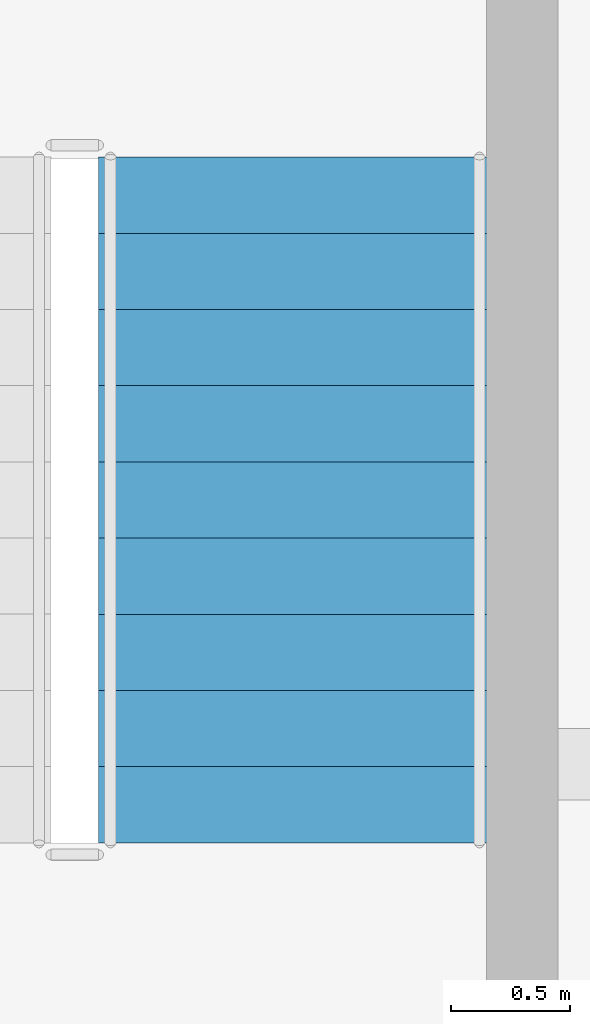
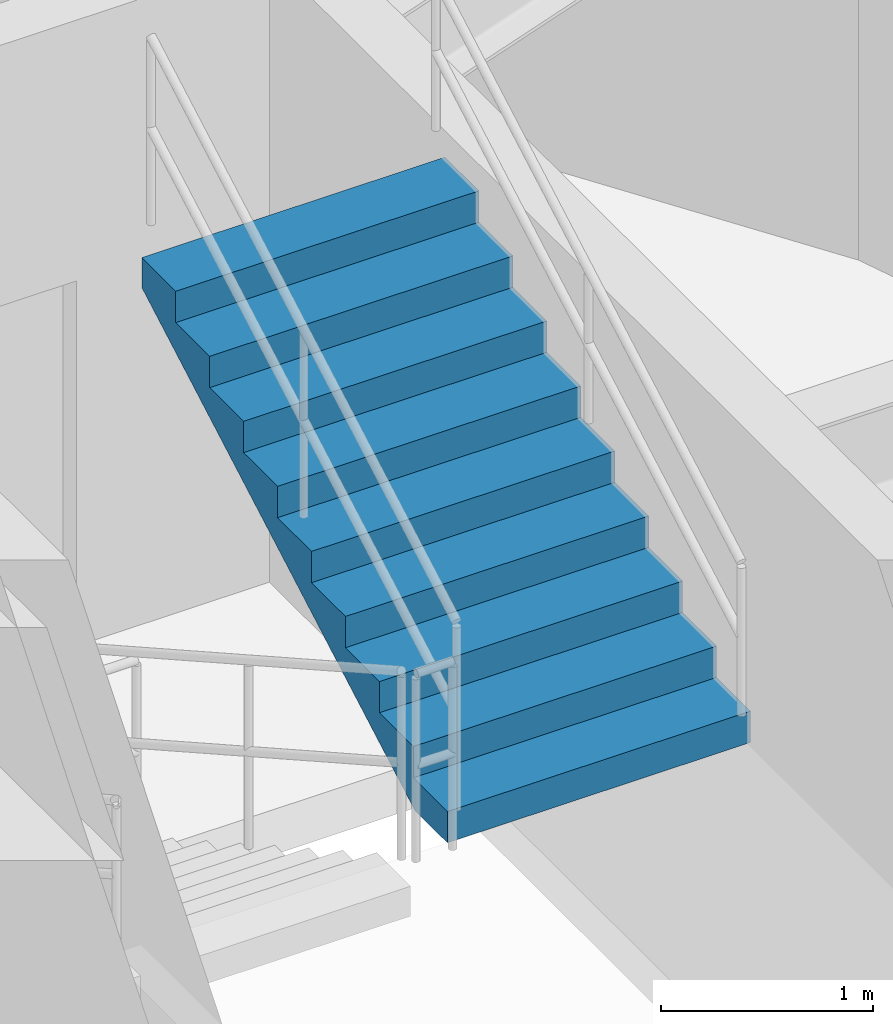
# One storey, part 12 of 13: 1 stair flight, 1 element without a shape of its own.
"""IFC4 building model written with IfcOpenShell, lengths in metres."""

from ifc_helpers import new_model, si_unit, direction, frame, origin, place, context, subcontext, project, spatial, polyline, outline, extrude, material, type_object, element, aggregate, save


model = new_model("IFC4")

# Units and contexts
model_context = context("Model", 3, precision=1e-05, world=origin(), true_north=direction((0.0, 1.0)))
body_context = subcontext(model_context, "Body", "Model", "MODEL_VIEW")
ifc_project = project(units=[si_unit("LENGTHUNIT", "METRE"), si_unit("AREAUNIT", "SQUARE_METRE"), si_unit("VOLUMEUNIT", "CUBIC_METRE"), si_unit("PLANEANGLEUNIT", "RADIAN"), si_unit("MASSUNIT", "GRAM", prefix="KILO")], contexts=[model_context])

# Site, building, storey
site_placement = place(None, origin())
site = spatial("IfcSite", under=ifc_project, at=site_placement, CompositionType="ELEMENT")
building_placement = place(site_placement, origin())
building = spatial("IfcBuilding", under=site, at=building_placement, Name="Veldorina Hangang Commons", CompositionType="ELEMENT")
storey_placement = place(building_placement, frame((0.0, 0.0, 37.60009765625)))
storey = spatial("IfcBuildingStorey", under=building, at=storey_placement, Name="L08", CompositionType="ELEMENT", Elevation=37.60009765625)

# Stair, stair flight
ifc_material = material(Name="Concrete C40/50", Category="concrete")
stair_type = type_object("IfcStairType", Name="STR-DOG-1650-20R", PredefinedType="HALF_TURN_STAIR", material=ifc_material)
stair_placement = place(storey_placement, origin())
stair = element("IfcStair", 1, at=stair_placement, inside=storey, type_object=stair_type, Name="L08 Exit stair ST-2", PredefinedType="HALF_TURN_STAIR")
stair_flight_type = type_object("IfcStairFlightType", Name="SFL-STR-1650-20R", PredefinedType="STRAIGHT", material=ifc_material)
stair_flight_placement = place(storey_placement, frame((42.22509765625, 23.669921875, 1.7998046875), z_axis=(0.0, 0.0, 1.0), x_axis=(0.0, 1.0, 0.0)))
stair_flight = element("IfcStairFlight", 2, at=stair_flight_placement, type_object=stair_flight_type, Name="ST-2 flight 2", NumberOfRisers=10, NumberOfTreads=9, PredefinedType="STRAIGHT", RiserHeight=0.18, TreadLength=0.32, context=body_context, shape_type="SweptSolid", body=[
    extrude(outline(polyline([(0.0, 0.0), (0.0, 0.179931640625), (0.320068359375, 0.179931640625), (0.320068359375, 0.360107421875), (0.639892578125, 0.360107421875), (0.639892578125, 0.5400390625), (0.9599609375, 0.5400390625), (0.9599609375, 0.719970703125), (1.280029296875, 0.719970703125), (1.280029296875, 0.89990234375), (1.60009765625, 0.89990234375), (1.60009765625, 1.080078125), (1.919921875, 1.080078125), (1.919921875, 1.260009765625), (2.239990234375, 1.260009765625), (2.239990234375, 1.43994140625), (2.56005859375, 1.43994140625), (2.56005859375, 1.6201171875), (2.8798828125, 1.6201171875), (2.8798828125, 1.800048828125), (2.8798828125, 1.447998046875), (0.3056640625, 0.0), (0.0, 0.0)])), frame((0.0, 0.824951171875, 0.0), z_axis=(0.0, -1.0, 0.0), x_axis=(1.0, 0.0, 0.0)), (0.0, 0.0, 1.0), 1.64990234375),
])
aggregate(stair, [stair_flight])

save(model, "model.ifc")
